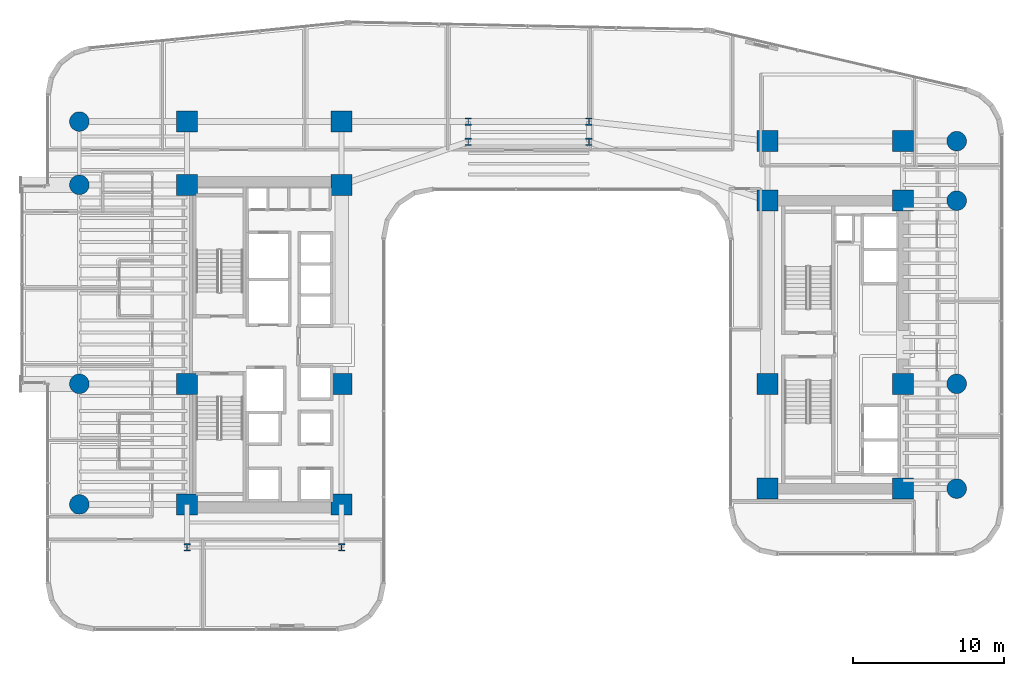
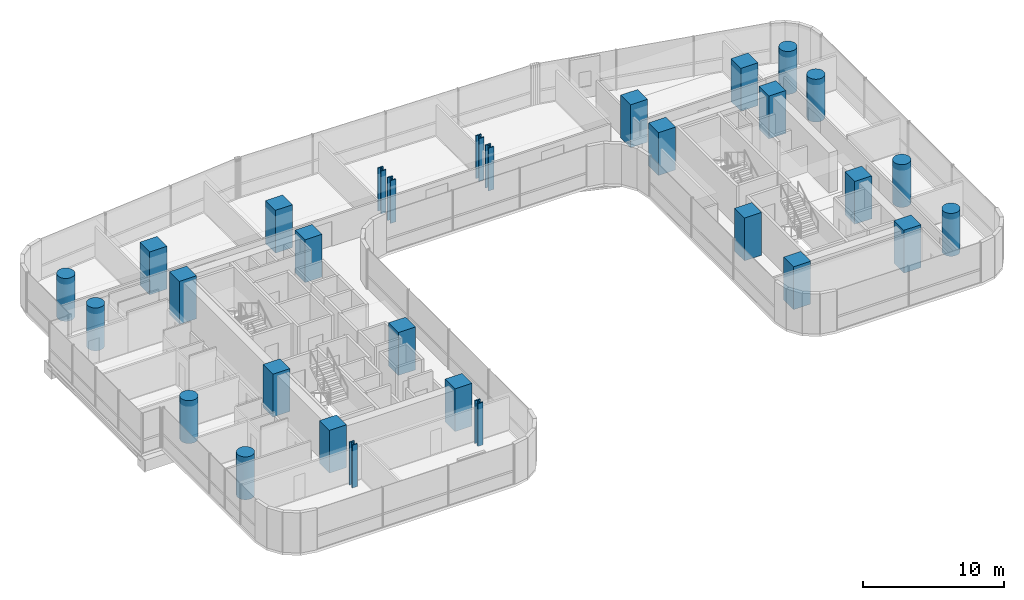
# One storey, part 1 of 39: 30 columns.
"""IFC4 building model written with IfcOpenShell, lengths in metres."""

from ifc_helpers import new_model, si_unit, direction, frame, origin, origin_2d, place, context, subcontext, project, spatial, rectangle, circle, i_section, extrude, source, transform, mapped, material, material_profile, profile_set, type_object, element, save


model = new_model("IFC4")

# Units and contexts
model_context = context("Model", 3, precision=1e-05, world=origin(), true_north=direction((0.0, 1.0)))
body_context = subcontext(model_context, "Body", "Model", "MODEL_VIEW")
ifc_project = project(units=[si_unit("LENGTHUNIT", "METRE"), si_unit("AREAUNIT", "SQUARE_METRE"), si_unit("VOLUMEUNIT", "CUBIC_METRE"), si_unit("PLANEANGLEUNIT", "RADIAN"), si_unit("MASSUNIT", "GRAM", prefix="KILO")], contexts=[model_context])

# Site, building, storey
site_placement = place(None, origin())
site = spatial("IfcSite", under=ifc_project, at=site_placement, CompositionType="ELEMENT")
building_placement = place(site_placement, origin())
building = spatial("IfcBuilding", under=site, at=building_placement, Name="Valdorenza Pilgrim Sanctuary Tower", CompositionType="ELEMENT")
storey_placement = place(building_placement, frame((0.0, 0.0, 77.800048828125)))
storey = spatial("IfcBuildingStorey", under=building, at=storey_placement, Name="L19", CompositionType="ELEMENT", Elevation=77.800048828125)

# Columns
ifc_material_1 = material(Name="Concrete C60/75", Category="concrete")
ifc_material_profile_1 = material_profile(ifc_material_1, circle(Radius=0.64990234375, at=origin_2d()), Name="RC D1300")
ifc_profile_set_1 = profile_set([ifc_material_profile_1], Name="Concrete C60/75")
column_type_1 = type_object("IfcColumnType", Name="COL-RND-1300", PredefinedType="COLUMN", material=ifc_profile_set_1)
shared_shape_1 = source(origin(), body_context, "Body", "SweptSolid", [
    extrude(circle(Radius=0.64990234375, at=origin_2d()), origin(), (0.0, 0.0, 1.0), 3.699951171875),
])
for number, where, z_axis, x_axis, name in (
    (1, (-29.800048828125, -10.60009765625, 0.0), (0.0, 0.0, 1.0), (1.0, 0.0, 0.0), "L19 Perimeter Column WA-W-S1"),
    (2, (-29.800048828125, -2.60009765625, 0.0), (0.0, 0.0, 1.0), (1.0, 0.0, 0.0), "L19 Perimeter Column WA-W-M0"),
    (3, (-29.800048828125, 10.60009765625, 0.0), (0.0, 0.0, 1.0), (1.0, 0.0, 0.0), "L19 Perimeter Column WA-W-N1"),
    (4, (-29.800048828125, 14.800048828125, 0.0), (0.0, 0.0, 1.0), (1.0, 0.0, 0.0), "L19 Perimeter Column WA-W-N2"),
    (5, (28.39990234375, -9.550048828125, 0.0), (0.0, 0.0, 1.0), (1.0, 0.0, 0.0), "L19 Perimeter Column WB-E-S1"),
    (6, (28.39990234375, -2.60009765625, 0.0), (0.0, 0.0, 1.0), (1.0, 0.0, 0.0), "L19 Perimeter Column WB-E-M0"),
    (7, (28.39990234375, 9.550048828125, 0.0), (0.0, 0.0, 1.0), (1.0, 0.0, 0.0), "L19 Perimeter Column WB-E-N1"),
    (8, (28.39990234375, 13.5, 0.0), (0.0, 0.0, 1.0), (1.0, 0.0, 0.0), "L19 Perimeter Column WB-E-N2"),
):
    element("IfcColumn", number, at=place(storey_placement, frame(where, z_axis=z_axis, x_axis=x_axis)), inside=storey, type_object=column_type_1, Name=name, PredefinedType="COLUMN", context=body_context, shape_type="MappedRepresentation", body=[
        mapped(shared_shape_1, transform((0.0, 0.0, 0.0), x_axis=(1.0, 0.0, 0.0), y_axis=(0.0, 1.0, 0.0), z_axis=(0.0, 0.0, 1.0), scale=1.0)),
    ])
ifc_material_profile_2 = material_profile(ifc_material_1, rectangle(XDim=1.39990234375, YDim=1.39990234375, at=origin_2d()), Name="RC 1400x1400")
ifc_profile_set_2 = profile_set([ifc_material_profile_2], Name="Concrete C60/75")
column_type_2 = type_object("IfcColumnType", Name="COL-Z1-1400", PredefinedType="COLUMN", material=ifc_profile_set_2)
shared_shape_2 = source(origin(), body_context, "Body", "SweptSolid", [
    extrude(rectangle(XDim=1.39990234375, YDim=1.39990234375, at=origin_2d()), origin(), (0.0, 0.0, 1.0), 3.699951171875),
])
for number, where, z_axis, x_axis, name in (
    (9, (-22.64990234375, -10.60009765625, 0.0), (0.0, 0.0, 1.0), (1.0, 0.0, 0.0), "L19 Column CA-W-S1"),
    (10, (-12.39990234375, -10.60009765625, 0.0), (0.0, 0.0, 1.0), (1.0, 0.0, 0.0), "L19 Column CA-E-S1"),
    (11, (-22.64990234375, -2.60009765625, 0.0), (0.0, 0.0, 1.0), (1.0, 0.0, 0.0), "L19 Column CA-W-M0"),
    (12, (-12.39990234375, -2.60009765625, 0.0), (0.0, 0.0, 1.0), (1.0, 0.0, 0.0), "L19 Column CA-E-M0"),
    (13, (-22.64990234375, 10.60009765625, 0.0), (0.0, 0.0, 1.0), (1.0, 0.0, 0.0), "L19 Column CA-W-N1"),
    (14, (-12.39990234375, 10.60009765625, 0.0), (0.0, 0.0, 1.0), (1.0, 0.0, 0.0), "L19 Column CA-E-N1"),
    (15, (-22.64990234375, 14.800048828125, 0.0), (0.0, 0.0, 1.0), (1.0, 0.0, 0.0), "L19 Column CA-W-N2"),
    (16, (-12.39990234375, 14.800048828125, 0.0), (0.0, 0.0, 1.0), (1.0, 0.0, 0.0), "L19 Column CA-E-N2"),
    (17, (15.85009765625, -9.550048828125, 0.0), (0.0, 0.0, 1.0), (1.0, 0.0, 0.0), "L19 Column CB-W-S1"),
    (18, (24.85009765625, -9.550048828125, 0.0), (0.0, 0.0, 1.0), (1.0, 0.0, 0.0), "L19 Column CB-E-S1"),
    (19, (15.85009765625, -2.60009765625, 0.0), (0.0, 0.0, 1.0), (1.0, 0.0, 0.0), "L19 Column CB-W-M0"),
    (20, (24.85009765625, -2.60009765625, 0.0), (0.0, 0.0, 1.0), (1.0, 0.0, 0.0), "L19 Column CB-E-M0"),
    (21, (15.85009765625, 9.550048828125, 0.0), (0.0, 0.0, 1.0), (1.0, 0.0, 0.0), "L19 Column CB-W-N1"),
    (22, (24.85009765625, 9.550048828125, 0.0), (0.0, 0.0, 1.0), (1.0, 0.0, 0.0), "L19 Column CB-E-N1"),
    (23, (15.85009765625, 13.5, 0.0), (0.0, 0.0, 1.0), (1.0, 0.0, 0.0), "L19 Column CB-W-N2"),
    (24, (24.85009765625, 13.5, 0.0), (0.0, 0.0, 1.0), (1.0, 0.0, 0.0), "L19 Column CB-E-N2"),
):
    element("IfcColumn", number, at=place(storey_placement, frame(where, z_axis=z_axis, x_axis=x_axis)), inside=storey, type_object=column_type_2, Name=name, PredefinedType="COLUMN", context=body_context, shape_type="MappedRepresentation", body=[
        mapped(shared_shape_2, transform((0.0, 0.0, 0.0), x_axis=(1.0, 0.0, 0.0), y_axis=(0.0, 1.0, 0.0), z_axis=(0.0, 0.0, 1.0), scale=1.0)),
    ])
ifc_material_2 = material(Name="Steel ASTM A992 Grade 50", Category="steel")
ifc_material_profile_3 = material_profile(ifc_material_2, i_section(OverallWidth=0.431884765625, OverallDepth=0.498046875, WebThickness=0.0556640625, FlangeThickness=0.0888671875, at=origin_2d()), Name="W14X500")
ifc_profile_set_3 = profile_set([ifc_material_profile_3], Name="Steel ASTM A992 Grade 50")
column_type_3 = type_object("IfcColumnType", Name="COL-STL-W500", PredefinedType="COLUMN", material=ifc_profile_set_3)
shared_shape_3 = source(origin(), body_context, "Body", "SweptSolid", [
    extrude(i_section(OverallWidth=0.431884765625, OverallDepth=0.498046875, WebThickness=0.0556640625, FlangeThickness=0.0888671875, at=origin_2d()), origin(), (0.0, 0.0, 1.0), 3.699951171875),
])
for number, where, z_axis, x_axis, name in (
    (25, (-22.64990234375, -13.449951171875, 0.0), (0.0, 0.0, 1.0), (1.0, 0.0, 0.0), "L19 Column WA-S-W"),
    (26, (-12.39990234375, -13.449951171875, 0.0), (0.0, 0.0, 1.0), (1.0, 0.0, 0.0), "L19 Column WA-S-E"),
    (27, (-4.0, 13.449951171875, 0.0), (0.0, 0.0, 1.0), (1.0, 0.0, 0.0), "L19 Column KNK-W1"),
    (28, (-4.0, 14.800048828125, 0.0), (0.0, 0.0, 1.0), (1.0, 0.0, 0.0), "L19 Column KNK-W2"),
    (29, (4.0, 13.449951171875, 0.0), (0.0, 0.0, 1.0), (1.0, 0.0, 0.0), "L19 Column KNK-E1"),
    (30, (4.0, 14.800048828125, 0.0), (0.0, 0.0, 1.0), (1.0, 0.0, 0.0), "L19 Column KNK-E2"),
):
    element("IfcColumn", number, at=place(storey_placement, frame(where, z_axis=z_axis, x_axis=x_axis)), inside=storey, type_object=column_type_3, Name=name, PredefinedType="COLUMN", context=body_context, shape_type="MappedRepresentation", body=[
        mapped(shared_shape_3, transform((0.0, 0.0, 0.0), x_axis=(1.0, 0.0, 0.0), y_axis=(0.0, 1.0, 0.0), z_axis=(0.0, 0.0, 1.0), scale=1.0)),
    ])

save(model, "model.ifc")
